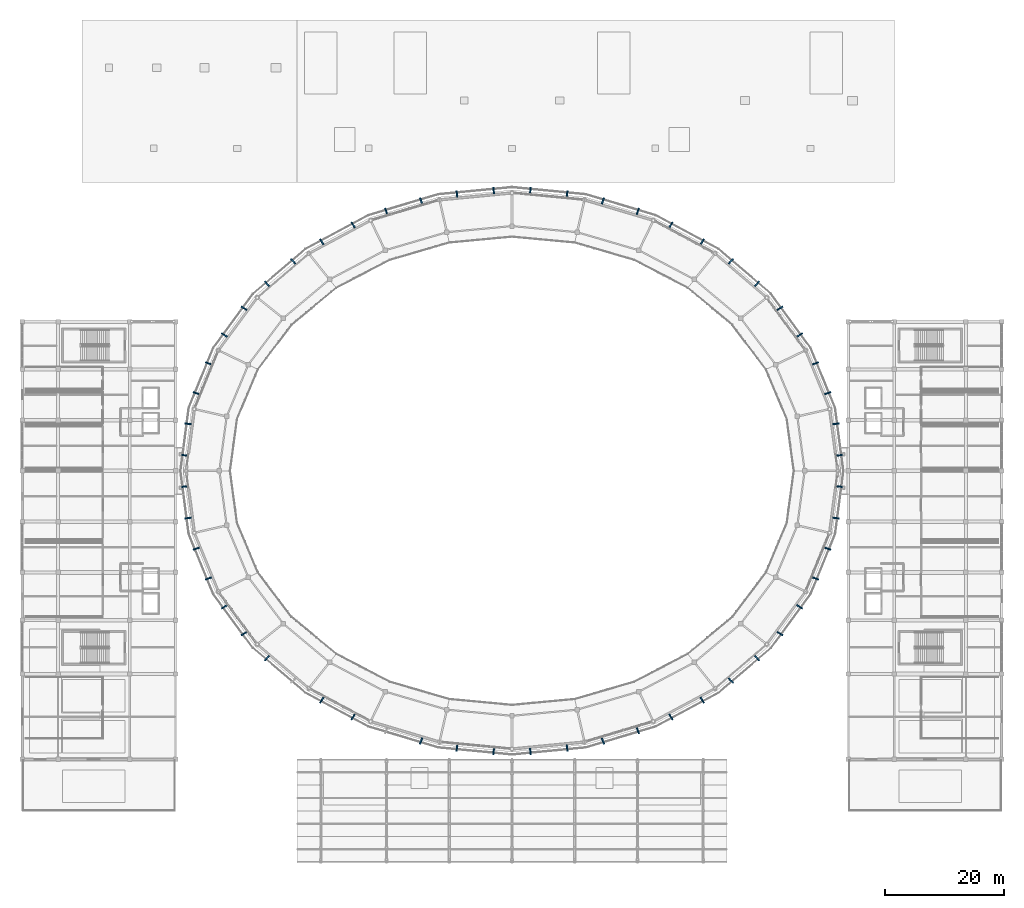
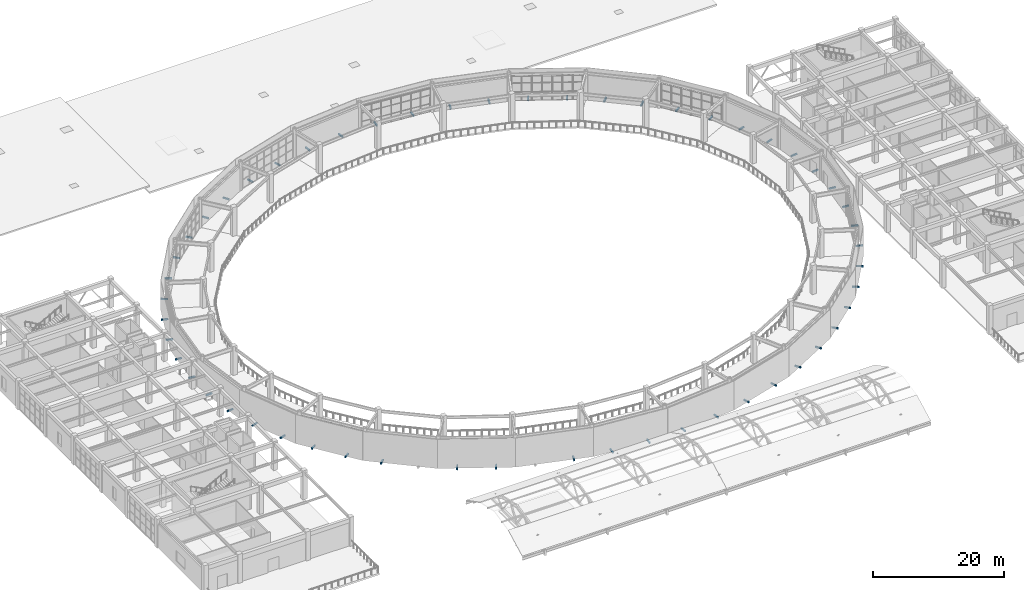
# One storey, part 60 of 70: 54 discrete accessories.
"""IFC4 building model written with IfcOpenShell, lengths in metres."""

import ifcopenshell
import ifcopenshell.guid

model = None  # the IFC model being written
_history = None  # IfcOwnerHistory: only IFC2X3 demands one
_inside = {}  # id of a spatial element -> (the spatial element, [elements in it])
_under = {}  # id of a project, library or spatial element -> (it, [spatial elements below it])
_declared = {}  # id of a project -> (the project, [libraries it declares])
_typed = {}  # id of a type object -> (the type object, [elements of that type])
_made_of = {}  # id of a material, layer set ... -> (it, [elements and type objects made of it])


def new_model(schema):
    """Start an empty IFC model of exactly this schema.

    Asked for "IFC4X3", IfcOpenShell would pick the latest addendum, in which some entities
    have other attributes; the version numbers below select the first issue.
    IFC2X3 requires an IfcOwnerHistory on every rooted entity: one is made here for all.
    """
    global model, _history
    if schema == "IFC4X3":
        model = ifcopenshell.file(schema_version=(4, 3, 0, 0))
    else:
        model = ifcopenshell.file(schema=schema)
    _inside.clear()
    _under.clear()
    _declared.clear()
    _typed.clear()
    _made_of.clear()
    _history = None
    if model.schema == "IFC2X3":
        org = make("IfcOrganization", Name="unknown")
        user = make(
            "IfcPersonAndOrganization",
            ThePerson=make("IfcPerson", FamilyName="unknown"),
            TheOrganization=org,
        )
        app = make(
            "IfcApplication",
            ApplicationDeveloper=org,
            Version="unknown",
            ApplicationFullName="unknown",
            ApplicationIdentifier="unknown",
        )
        _history = make(
            "IfcOwnerHistory",
            OwningUser=user,
            OwningApplication=app,
            ChangeAction="ADDED",
            CreationDate=0,
        )
    return model


def make(cls, **values):
    """One entity of the class cls with the attributes given. An attribute that is None is left unset."""
    return model.create_entity(
        cls, **{name: value for name, value in values.items() if value is not None}
    )


def rooted(cls, **values):
    """An entity with a GlobalId (a new one), such as an element, a storey or a relation."""
    return make(cls, GlobalId=ifcopenshell.guid.new(), OwnerHistory=_history, **values)


def si_unit(unit_type, name, prefix=None):
    """IfcSIUnit, for example si_unit("LENGTHUNIT", "METRE", prefix="MILLI")."""
    return make("IfcSIUnit", UnitType=unit_type, Prefix=prefix, Name=name)


def assignment(units):
    """IfcUnitAssignment: the units of a project."""
    return None if units is None else make("IfcUnitAssignment", Units=units)


def point(xyz):
    """IfcCartesianPoint."""
    return None if xyz is None else make("IfcCartesianPoint", Coordinates=xyz)


def direction(xyz):
    """IfcDirection."""
    return None if xyz is None else make("IfcDirection", DirectionRatios=xyz)


def frame(location, z_axis=None, x_axis=None):
    """IfcAxis2Placement3D, a coordinate frame: its origin and axes. An axis left out is left unset."""
    return make(
        "IfcAxis2Placement3D",
        Location=point(location),
        Axis=direction(z_axis),
        RefDirection=direction(x_axis),
    )


def frame_2d(location, x_axis=None):
    """IfcAxis2Placement2D, a coordinate frame in the plane: its origin and x axis."""
    return make(
        "IfcAxis2Placement2D", Location=point(location), RefDirection=direction(x_axis)
    )


def origin():
    """The frame at (0, 0, 0) with its axes left unset."""
    return frame((0.0, 0.0, 0.0))


def origin_2d():
    """The frame at (0, 0) in the plane with its x axis left unset."""
    return frame_2d((0.0, 0.0))


def place(relative_to, where):
    """IfcLocalPlacement: puts the frame where relative to a parent placement (None: the world)."""
    return make(
        "IfcLocalPlacement", PlacementRelTo=relative_to, RelativePlacement=where
    )


def context(
    kind, dimensions, precision=None, world=None, true_north=None, identifier=None
):
    """IfcGeometricRepresentationContext, for example the 3D "Model" context."""
    return make(
        "IfcGeometricRepresentationContext",
        ContextIdentifier=identifier,
        ContextType=kind,
        CoordinateSpaceDimension=dimensions,
        Precision=precision,
        WorldCoordinateSystem=world,
        TrueNorth=true_north,
    )


def subcontext(parent, identifier, kind, view, scale=None):
    """IfcGeometricRepresentationSubContext, for example "Body" below "Model"."""
    return make(
        "IfcGeometricRepresentationSubContext",
        ContextIdentifier=identifier,
        ContextType=kind,
        ParentContext=parent,
        TargetScale=scale,
        TargetView=view,
    )


def project(units=None, contexts=None):
    """IfcProject with its units and contexts."""
    return rooted(
        "IfcProject",
        Name="project",
        RepresentationContexts=contexts,
        UnitsInContext=assignment(units),
    )


def spatial(cls, under=None, at=None, **own):
    """A site, building, storey or space (cls), placed at a placement, below another one or the project."""
    s = rooted(cls, ObjectPlacement=at, **own)
    if under is not None:
        _under.setdefault(under.id(), (under, []))[1].append(s)
    return s


def profile(cls, at=None, kind="AREA", **sizes):
    """A parametric profile (cls). Its sizes go by their IFC names, for example OverallWidth=200.0."""
    return make(cls, ProfileType=kind, Position=at, **sizes)


def rectangle(**sizes):
    """IfcRectangleProfileDef."""
    return profile("IfcRectangleProfileDef", **sizes)


def extrude(swept, where, along, depth):
    """IfcExtrudedAreaSolid: the profile swept, set in the frame where, extruded along a direction by depth."""
    return make(
        "IfcExtrudedAreaSolid",
        SweptArea=swept,
        Position=where,
        ExtrudedDirection=direction(along),
        Depth=depth,
    )


def shape(context_of_items, identifier, shape_type, items):
    """IfcShapeRepresentation: the items that make up one representation, for example the "Body"."""
    return make(
        "IfcShapeRepresentation",
        ContextOfItems=context_of_items,
        RepresentationIdentifier=identifier,
        RepresentationType=shape_type,
        Items=items,
    )


def material(Name=None, Category=None):
    """IfcMaterial."""
    return make("IfcMaterial", Name=Name, Category=Category)


def made_of(thing, what):
    """Note that an element or type object is made of a material, layer set ...; save() writes the relation."""
    if what is not None:
        _made_of.setdefault(what.id(), (what, []))[1].append(thing)
    return thing


def type_object(cls, material=None, **own):
    """A type object (cls), such as IfcWallType, which elements share."""
    return made_of(rooted(cls, **own), material)


def element(
    cls,
    number,
    at=None,
    inside=None,
    cuts=None,
    type_object=None,
    material=None,
    context=None,
    identifier="Body",
    shape_type=None,
    held_by="IfcProductDefinitionShape",
    body=None,
    shapes=None,
    **own,
):
    """One element of the class cls, such as IfcWall. Its Tag is "e" and its number.

    at: its placement. inside: the storey or other place that contains it. cuts: it is an
    opening in that element (IfcRelVoidsElement). A single representation is given by context,
    identifier, shape_type and body (its items); several are given by shapes. held_by: the class
    of the entity that holds the representations. save() writes the other relations.
    """
    e = rooted(cls, Tag="e%d" % number, ObjectPlacement=at, **own)
    if body is not None:
        shapes = [shape(context, identifier, shape_type, body)]
    if shapes is not None:
        e.Representation = make(held_by, Representations=shapes)
    if inside is not None:
        _inside.setdefault(inside.id(), (inside, []))[1].append(e)
    if cuts is not None:
        rooted(
            "IfcRelVoidsElement", RelatingBuildingElement=cuts, RelatedOpeningElement=e
        )
    if type_object is not None:
        _typed.setdefault(type_object.id(), (type_object, []))[1].append(e)
    return made_of(e, material)


def aggregate(whole, parts):
    """IfcRelAggregates: a whole, such as a stair, and the parts it consists of."""
    return rooted("IfcRelAggregates", RelatingObject=whole, RelatedObjects=parts)


def save(model, path):
    """Write the relations noted so far, then the file.

    IfcRelAggregates (storeys below a building ...), IfcRelContainedInSpatialStructure (elements
    in a storey), IfcRelDefinesByType, IfcRelAssociatesMaterial and IfcRelDeclares: one each for
    every whole, place, type object, material and project.
    """
    for whole, parts in _under.values():
        aggregate(whole, parts)
    for where, things in _inside.values():
        rooted(
            "IfcRelContainedInSpatialStructure",
            RelatedElements=things,
            RelatingStructure=where,
        )
    for kind, things in _typed.values():
        rooted("IfcRelDefinesByType", RelatedObjects=things, RelatingType=kind)
    for what, things in _made_of.values():
        rooted("IfcRelAssociatesMaterial", RelatedObjects=things, RelatingMaterial=what)
    for by, libraries in _declared.values():
        rooted("IfcRelDeclares", RelatingContext=by, RelatedDefinitions=libraries)
    model.write(path)


model = new_model("IFC4")

# Units and contexts
model_context = context("Model", 3, precision=1e-05, world=origin(), true_north=direction((0.0, 1.0)))
body_context = subcontext(model_context, "Body", "Model", "MODEL_VIEW")
ifc_project = project(units=[si_unit("LENGTHUNIT", "METRE"), si_unit("AREAUNIT", "SQUARE_METRE"), si_unit("VOLUMEUNIT", "CUBIC_METRE"), si_unit("PLANEANGLEUNIT", "RADIAN"), si_unit("MASSUNIT", "GRAM", prefix="KILO")], contexts=[model_context])

# Site, building, storey
site_placement = place(None, origin())
site = spatial("IfcSite", under=ifc_project, at=site_placement, CompositionType="ELEMENT")
building_placement = place(site_placement, origin())
building = spatial("IfcBuilding", under=site, at=building_placement, Name="Cuetzalor Civic Arena", CompositionType="ELEMENT")
storey_placement = place(building_placement, frame((0.0, 0.0, 21.0)))
storey = spatial("IfcBuildingStorey", under=building, at=storey_placement, Name="L04", CompositionType="ELEMENT", Elevation=21.0)

# Discrete accessories
ifc_material = material(Name="Steel S355", Category="steel")
discrete_accessory_type = type_object("IfcDiscreteAccessoryType", Name="ScreenOutriggerBracket_S355", PredefinedType="BRACKET", material=ifc_material)
for number, where, z_axis, x_axis, name in (
    (1, (54.235595703125, 7.8896484375, -0.27001953125), (0.0, 0.0, 1.0), (0.993709417943, 0.111989252568, 0.0), "Drum Screen Outrigger Bracket L04-0005"),
    (2, (54.928466796875, 2.6298828125, -0.27001953125), (0.0, 0.0, 1.0), (0.993709417943, 0.111989252568, 0.0), "Drum Screen Outrigger Bracket L04-0006"),
    (3, (50.822998046875, 18.013916015625, -0.27001953125), (0.0, 0.0, 1.0), (0.943858622852, 0.330349663339, 0.0), "Drum Screen Outrigger Bracket L04-0016"),
    (4, (52.8671875, 13.017578125, -0.27001953125), (0.0, 0.0, 1.0), (0.943858622852, 0.330349663339, 0.0), "Drum Screen Outrigger Bracket L04-0017"),
    (5, (44.862060546875, 27.234619140625, -0.27001953125), (0.0, 0.0, 1.0), (0.846657866138, 0.532137630417, 0.0), "Drum Screen Outrigger Bracket L04-0025"),
    (6, (48.15478515625, 22.752685546875, -0.27001953125), (0.0, 0.0, 1.0), (0.846657866138, 0.532137630417, 0.0), "Drum Screen Outrigger Bracket L04-0026"),
    (7, (36.651611328125, 35.089599609375, -0.27001953125), (0.0, 0.0, 1.0), (0.707106781187, 0.707106781187, 0.0), "Drum Screen Outrigger Bracket L04-0036"),
    (8, (41.027587890625, 31.346923828125, -0.27001953125), (0.0, 0.0, 1.0), (0.707106781187, 0.707106781187, 0.0), "Drum Screen Outrigger Bracket L04-0037"),
    (9, (26.60302734375, 41.185302734375, -0.27001953125), (0.0, 0.0, 1.0), (0.531989852639, 0.84675072878, 0.0), "Drum Screen Outrigger Bracket L04-0045"),
    (10, (31.84326171875, 38.369140625, -0.27001953125), (0.0, 0.0, 1.0), (0.531989852639, 0.84675072878, 0.0), "Drum Screen Outrigger Bracket L04-0046"),
    (11, (15.220703125, 45.215576171875, -0.27001953125), (0.0, 0.0, 1.0), (0.330184923902, 0.943916265369, 0.0), "Drum Screen Outrigger Bracket L04-0056"),
    (12, (21.06201171875, 43.46728515625, -0.27001953125), (0.0, 0.0, 1.0), (0.330184923902, 0.943916265369, 0.0), "Drum Screen Outrigger Bracket L04-0057"),
    (13, (3.074951171875, 46.978759765625, -0.27001953125), (0.0, 0.0, 1.0), (0.111989252568, 0.993709417943, 0.0), "Drum Screen Outrigger Bracket L04-0065"),
    (14, (9.224853515625, 46.385986328125, -0.27001953125), (0.0, 0.0, 1.0), (0.111989252568, 0.993709417943, 0.0), "Drum Screen Outrigger Bracket L04-0066"),
    (15, (-9.224853515625, 46.385986328125, -0.27001953125), (0.0, 0.0, 1.0), (-0.111989252568, 0.993709417943, 0.0), "Drum Screen Outrigger Bracket L04-0076"),
    (16, (-3.074951171875, 46.978759765625, -0.27001953125), (0.0, 0.0, 1.0), (-0.111989252568, 0.993709417943, 0.0), "Drum Screen Outrigger Bracket L04-0077"),
    (17, (-21.06201171875, 43.46728515625, -0.27001953125), (0.0, 0.0, 1.0), (-0.330184923902, 0.943916265369, 0.0), "Drum Screen Outrigger Bracket L04-0085"),
    (18, (-15.220703125, 45.215576171875, -0.27001953125), (0.0, 0.0, 1.0), (-0.330184923902, 0.943916265369, 0.0), "Drum Screen Outrigger Bracket L04-0086"),
    (19, (-31.84326171875, 38.369140625, -0.27001953125), (0.0, 0.0, 1.0), (-0.531989852639, 0.84675072878, 0.0), "Drum Screen Outrigger Bracket L04-0096"),
    (20, (-26.60302734375, 41.185302734375, -0.27001953125), (0.0, 0.0, 1.0), (-0.531989852639, 0.84675072878, 0.0), "Drum Screen Outrigger Bracket L04-0097"),
    (21, (-41.027587890625, 31.346923828125, -0.27001953125), (0.0, 0.0, 1.0), (-0.707106781187, 0.707106781187, 0.0), "Drum Screen Outrigger Bracket L04-0105"),
    (22, (-36.651611328125, 35.089599609375, -0.27001953125), (0.0, 0.0, 1.0), (-0.707106781187, 0.707106781187, 0.0), "Drum Screen Outrigger Bracket L04-0106"),
    (23, (-48.15478515625, 22.752685546875, -0.27001953125), (0.0, 0.0, 1.0), (-0.846657866138, 0.532137630417, 0.0), "Drum Screen Outrigger Bracket L04-0116"),
    (24, (-44.862060546875, 27.234619140625, -0.27001953125), (0.0, 0.0, 1.0), (-0.846657866138, 0.532137630417, 0.0), "Drum Screen Outrigger Bracket L04-0117"),
    (25, (-52.8671875, 13.017578125, -0.27001953125), (0.0, 0.0, 1.0), (-0.943858622852, 0.330349663339, 0.0), "Drum Screen Outrigger Bracket L04-0125"),
    (26, (-50.822998046875, 18.013916015625, -0.27001953125), (0.0, 0.0, 1.0), (-0.943858622852, 0.330349663339, 0.0), "Drum Screen Outrigger Bracket L04-0126"),
    (27, (-54.928466796875, 2.6298828125, -0.27001953125), (0.0, 0.0, 1.0), (-0.993709417943, 0.111989252568, 0.0), "Drum Screen Outrigger Bracket L04-0136"),
    (28, (-54.235595703125, 7.8896484375, -0.27001953125), (0.0, 0.0, 1.0), (-0.993709417943, 0.111989252568, 0.0), "Drum Screen Outrigger Bracket L04-0137"),
    (29, (-54.235595703125, -7.8896484375, -0.27001953125), (0.0, 0.0, 1.0), (-0.993709417943, -0.111989252568, 0.0), "Drum Screen Outrigger Bracket L04-0145"),
    (30, (-54.928466796875, -2.6298828125, -0.27001953125), (0.0, 0.0, 1.0), (-0.993709417943, -0.111989252568, 0.0), "Drum Screen Outrigger Bracket L04-0146"),
    (31, (-50.822998046875, -18.013916015625, -0.27001953125), (0.0, 0.0, 1.0), (-0.943858622852, -0.330349663339, 0.0), "Drum Screen Outrigger Bracket L04-0156"),
    (32, (-52.8671875, -13.017578125, -0.27001953125), (0.0, 0.0, 1.0), (-0.943858622852, -0.330349663339, 0.0), "Drum Screen Outrigger Bracket L04-0157"),
    (33, (-44.862060546875, -27.234619140625, -0.27001953125), (0.0, 0.0, 1.0), (-0.846657866138, -0.532137630417, 0.0), "Drum Screen Outrigger Bracket L04-0165"),
    (34, (-48.15478515625, -22.752685546875, -0.27001953125), (0.0, 0.0, 1.0), (-0.846657866138, -0.532137630417, 0.0), "Drum Screen Outrigger Bracket L04-0166"),
    (35, (-41.027587890625, -31.346923828125, -0.27001953125), (0.0, 0.0, 1.0), (-0.707106781187, -0.707106781187, 0.0), "Drum Screen Outrigger Bracket L04-0177"),
    (36, (-26.60302734375, -41.185302734375, -0.27001953125), (0.0, 0.0, 1.0), (-0.531989852639, -0.84675072878, 0.0), "Drum Screen Outrigger Bracket L04-0185"),
    (37, (-31.84326171875, -38.369140625, -0.27001953125), (0.0, 0.0, 1.0), (-0.531989852639, -0.84675072878, 0.0), "Drum Screen Outrigger Bracket L04-0186"),
    (38, (-15.220703125, -45.215576171875, -0.27001953125), (0.0, 0.0, 1.0), (-0.330184923902, -0.943916265369, 0.0), "Drum Screen Outrigger Bracket L04-0196"),
    (39, (-3.074951171875, -46.978759765625, -0.27001953125), (0.0, 0.0, 1.0), (-0.111989252568, -0.993709417943, 0.0), "Drum Screen Outrigger Bracket L04-0205"),
    (40, (-9.224853515625, -46.385986328125, -0.27001953125), (0.0, 0.0, 1.0), (-0.111989252568, -0.993709417943, 0.0), "Drum Screen Outrigger Bracket L04-0206"),
    (41, (9.224853515625, -46.385986328125, -0.27001953125), (0.0, 0.0, 1.0), (0.111989252568, -0.993709417943, 0.0), "Drum Screen Outrigger Bracket L04-0216"),
    (42, (3.074951171875, -46.978759765625, -0.27001953125), (0.0, 0.0, 1.0), (0.111989252568, -0.993709417943, 0.0), "Drum Screen Outrigger Bracket L04-0217"),
    (43, (21.06201171875, -43.46728515625, -0.27001953125), (0.0, 0.0, 1.0), (0.330184923902, -0.943916265369, 0.0), "Drum Screen Outrigger Bracket L04-0225"),
    (44, (15.220703125, -45.215576171875, -0.27001953125), (0.0, 0.0, 1.0), (0.330184923902, -0.943916265369, 0.0), "Drum Screen Outrigger Bracket L04-0226"),
    (45, (31.84326171875, -38.369140625, -0.27001953125), (0.0, 0.0, 1.0), (0.531989852639, -0.84675072878, 0.0), "Drum Screen Outrigger Bracket L04-0236"),
    (46, (26.60302734375, -41.185302734375, -0.27001953125), (0.0, 0.0, 1.0), (0.531989852639, -0.84675072878, 0.0), "Drum Screen Outrigger Bracket L04-0237"),
    (47, (41.027587890625, -31.346923828125, -0.27001953125), (0.0, 0.0, 1.0), (0.707106781187, -0.707106781187, 0.0), "Drum Screen Outrigger Bracket L04-0245"),
    (48, (36.651611328125, -35.089599609375, -0.27001953125), (0.0, 0.0, 1.0), (0.707106781187, -0.707106781187, 0.0), "Drum Screen Outrigger Bracket L04-0246"),
    (49, (48.15478515625, -22.752685546875, -0.27001953125), (0.0, 0.0, 1.0), (0.846657866138, -0.532137630417, 0.0), "Drum Screen Outrigger Bracket L04-0256"),
    (50, (44.862060546875, -27.234619140625, -0.27001953125), (0.0, 0.0, 1.0), (0.846657866138, -0.532137630417, 0.0), "Drum Screen Outrigger Bracket L04-0257"),
    (51, (52.8671875, -13.017578125, -0.27001953125), (0.0, 0.0, 1.0), (0.943858622852, -0.330349663339, 0.0), "Drum Screen Outrigger Bracket L04-0265"),
    (52, (50.822998046875, -18.013916015625, -0.27001953125), (0.0, 0.0, 1.0), (0.943858622852, -0.330349663339, 0.0), "Drum Screen Outrigger Bracket L04-0266"),
    (53, (54.928466796875, -2.6298828125, -0.27001953125), (0.0, 0.0, 1.0), (0.993709417943, -0.111989252568, 0.0), "Drum Screen Outrigger Bracket L04-0276"),
    (54, (54.235595703125, -7.8896484375, -0.27001953125), (0.0, 0.0, 1.0), (0.993709417943, -0.111989252568, 0.0), "Drum Screen Outrigger Bracket L04-0277"),
):
    element("IfcDiscreteAccessory", number, at=place(storey_placement, frame(where, z_axis=z_axis, x_axis=x_axis)), inside=storey, type_object=discrete_accessory_type, Name=name, PredefinedType="BRACKET", context=body_context, shape_type="SweptSolid", body=[
        extrude(rectangle(XDim=1.10009765625, YDim=0.239990234375, at=origin_2d()), origin(), (0.0, 0.0, 1.0), 0.260009765625),
    ])

save(model, "model.ifc")
